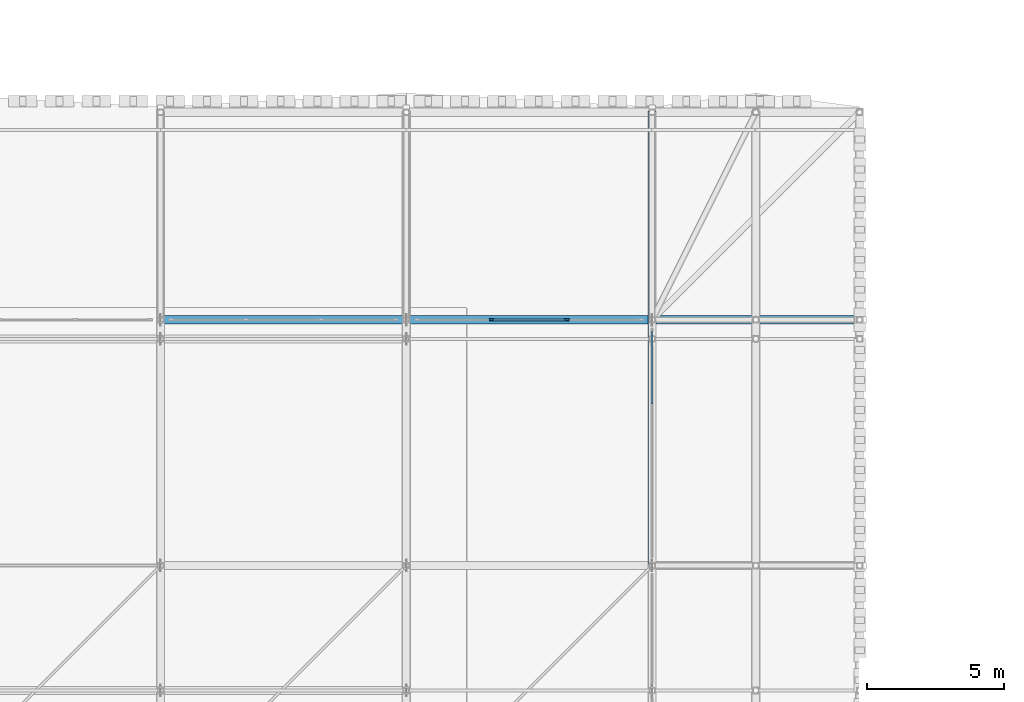
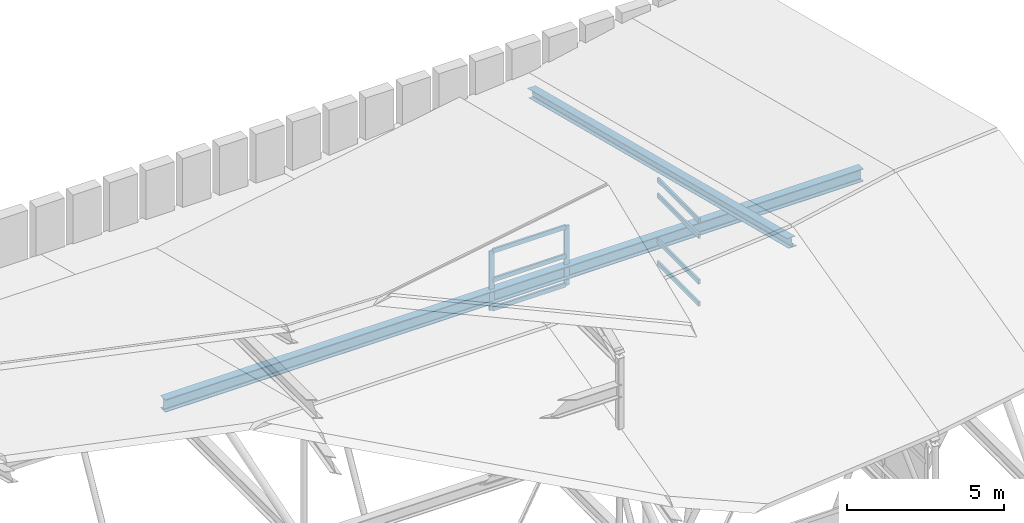
# One storey, part 20 of 42: 10 members, 1 beam, 2 elements without a shape of their own.
"""IFC4 building model written with IfcOpenShell, lengths in metres."""

from ifc_helpers import new_model, si_unit, direction, frame, origin, origin_2d, place, context, subcontext, project, spatial, rectangle, i_section, extrude, material, material_profile, profile_set, type_object, element, aggregate, save


model = new_model("IFC4")

# Units and contexts
model_context = context("Model", 3, precision=1e-05, world=origin(), true_north=direction((0.0, 1.0)))
body_context = subcontext(model_context, "Body", "Model", "MODEL_VIEW")
ifc_project = project(units=[si_unit("LENGTHUNIT", "METRE"), si_unit("AREAUNIT", "SQUARE_METRE"), si_unit("VOLUMEUNIT", "CUBIC_METRE"), si_unit("PLANEANGLEUNIT", "RADIAN"), si_unit("MASSUNIT", "GRAM", prefix="KILO")], contexts=[model_context])

# Site, building, storey
site_placement = place(None, origin())
site = spatial("IfcSite", under=ifc_project, at=site_placement, CompositionType="ELEMENT")
building_placement = place(site_placement, origin())
building = spatial("IfcBuilding", under=site, at=building_placement, Name="Bozkorgan Art Gallery", CompositionType="ELEMENT")
storey_placement = place(building_placement, frame((0.0, 0.0, 28.800048828125)))
storey = spatial("IfcBuildingStorey", under=building, at=storey_placement, Name="RF", CompositionType="ELEMENT", Elevation=28.800048828125)

# Beam
ifc_material_1 = material(Name="Steel S355J2", Category="steel")
ifc_material_profile_1 = material_profile(ifc_material_1, i_section(OverallWidth=0.300048828125, OverallDepth=0.5, WebThickness=0.014404296875, FlangeThickness=0.028076171875, FilletRadius=0.027099609375, at=origin_2d()), Name="HEB 500")
ifc_profile_set_1 = profile_set([ifc_material_profile_1], Name="Steel S355J2")
beam_type = type_object("IfcBeamType", Name="BEAM-TO-52", PredefinedType="BEAM", material=ifc_profile_set_1)
beam_placement = place(storey_placement, frame((47.0, 20.0, 0.25), z_axis=(1.0, 0.0, 0.0), x_axis=(0.0, 1.0, 0.0)))
element("IfcBeam", 1, at=beam_placement, inside=storey, type_object=beam_type, Name="ROOF-V1-MAIN east overhang continuous truss chord 3", PredefinedType="BEAM", context=body_context, shape_type="SweptSolid", body=[
    extrude(i_section(OverallWidth=0.300048828125, OverallDepth=0.5, WebThickness=0.014404296875, FlangeThickness=0.028076171875, FilletRadius=0.027099609375, at=origin_2d()), origin(), (0.0, 0.0, 1.0), 25.739990234375),
])

# Curtain wall, members
ifc_material_2 = material(Name="Anodised Bronze Aluminium", Category="aluminium")
curtain_wall_type_1 = type_object("IfcCurtainWallType", Name="CW-CW-28", PredefinedType="NOTDEFINED", material=ifc_material_2)
curtain_wall_1_placement = place(storey_placement, origin())
curtain_wall_1 = element("IfcCurtainWall", 2, at=curtain_wall_1_placement, inside=storey, type_object=curtain_wall_type_1, Name="RF unitised curtain wall CW-RF-V1-N-56", PredefinedType="NOTDEFINED")
ifc_material_profile_2 = material_profile(ifc_material_2, rectangle(XDim=0.06494140625, YDim=0.179931640625, at=origin_2d()), Name="ALU MULLION 65x180")
ifc_profile_set_2 = profile_set([ifc_material_profile_2], Name="Anodised Bronze Aluminium")
member_type_1 = type_object("IfcMemberType", Name="CWM-01", PredefinedType="MULLION", material=ifc_profile_set_2)
member_1_placement = place(storey_placement, frame((59.1201171875, 20.0, -0.324951171875), z_axis=(0.0, 0.0, 1.0), x_axis=(0.0, 1.0, 0.0)))
member_1 = element("IfcMember", 3, at=member_1_placement, type_object=member_type_1, Name="CW-28 mullion 2", PredefinedType="MULLION", context=body_context, shape_type="SweptSolid", body=[
    extrude(rectangle(XDim=0.06494140625, YDim=0.179931640625, at=origin_2d()), origin(), (0.0, 0.0, 1.0), 2.324951171875),
])
member_2_placement = place(storey_placement, frame((61.8798828125, 20.0, -0.324951171875), z_axis=(0.0, 0.0, 1.0), x_axis=(0.0, 1.0, 0.0)))
member_2 = element("IfcMember", 4, at=member_2_placement, type_object=member_type_1, Name="CW-28 mullion 3", PredefinedType="MULLION", context=body_context, shape_type="SweptSolid", body=[
    extrude(rectangle(XDim=0.06494140625, YDim=0.179931640625, at=origin_2d()), origin(), (0.0, 0.0, 1.0), 2.324951171875),
])
ifc_material_profile_3 = material_profile(ifc_material_2, rectangle(XDim=0.074951171875, YDim=0.169921875, at=origin_2d()), Name="ALU TRANSOM 75x170")
ifc_profile_set_3 = profile_set([ifc_material_profile_3], Name="Anodised Bronze Aluminium")
member_type_2 = type_object("IfcMemberType", Name="CWT-02", PredefinedType="USERDEFINED", material=ifc_profile_set_3)
member_3_placement = place(storey_placement, frame((59.152587890625, 20.0, -0.28759765625), z_axis=(1.0, 0.0, 0.0), x_axis=(0.0, 1.0, 0.0)))
member_3 = element("IfcMember", 5, at=member_3_placement, type_object=member_type_2, Name="CW-28 transom 2.1", ObjectType="TRANSOM", PredefinedType="USERDEFINED", context=body_context, shape_type="SweptSolid", body=[
    extrude(rectangle(XDim=0.074951171875, YDim=0.169921875, at=origin_2d()), origin(), (0.0, 0.0, 1.0), 2.69482421875),
])
member_4_placement = place(storey_placement, frame((59.152587890625, 20.0, 0.837890625), z_axis=(1.0, 0.0, 0.0), x_axis=(0.0, 1.0, 0.0)))
member_4 = element("IfcMember", 6, at=member_4_placement, type_object=member_type_2, Name="CW-28 transom 2.2", ObjectType="TRANSOM", PredefinedType="USERDEFINED", context=body_context, shape_type="SweptSolid", body=[
    extrude(rectangle(XDim=0.074951171875, YDim=0.169921875, at=origin_2d()), origin(), (0.0, 0.0, 1.0), 2.69482421875),
])
member_5_placement = place(storey_placement, frame((59.152587890625, 20.0, 1.96240234375), z_axis=(1.0, 0.0, 0.0), x_axis=(0.0, 1.0, 0.0)))
member_5 = element("IfcMember", 7, at=member_5_placement, type_object=member_type_2, Name="CW-28 transom 2.3", ObjectType="TRANSOM", PredefinedType="USERDEFINED", context=body_context, shape_type="SweptSolid", body=[
    extrude(rectangle(XDim=0.074951171875, YDim=0.169921875, at=origin_2d()), origin(), (0.0, 0.0, 1.0), 2.69482421875),
])
aggregate(curtain_wall_1, [member_1, member_2, member_3, member_4, member_5])

curtain_wall_type_2 = type_object("IfcCurtainWallType", Name="CW-CW-62", PredefinedType="NOTDEFINED", material=ifc_material_2)
curtain_wall_2_placement = place(storey_placement, origin())
curtain_wall_2 = element("IfcCurtainWall", 8, at=curtain_wall_2_placement, inside=storey, type_object=curtain_wall_type_2, Name="RF unitised curtain wall CW-RF-V1-E-11", PredefinedType="NOTDEFINED")
member_6_placement = place(storey_placement, frame((65.0, 16.91259765625, -0.28759765625), z_axis=(0.0, 1.0, 0.0), x_axis=(-1.0, 0.0, 0.0)))
member_6 = element("IfcMember", 9, at=member_6_placement, type_object=member_type_2, Name="CW-62 transom 3.1", ObjectType="TRANSOM", PredefinedType="USERDEFINED", context=body_context, shape_type="SweptSolid", body=[
    extrude(rectangle(XDim=0.074951171875, YDim=0.169921875, at=origin_2d()), origin(), (0.0, 0.0, 1.0), 2.662353515625),
])
member_7_placement = place(storey_placement, frame((65.0, 16.91259765625, 0.574951171875), z_axis=(0.0, 1.0, 0.0), x_axis=(-1.0, 0.0, 0.0)))
member_7 = element("IfcMember", 10, at=member_7_placement, type_object=member_type_2, Name="CW-62 transom 3.2", ObjectType="TRANSOM", PredefinedType="USERDEFINED", context=body_context, shape_type="SweptSolid", body=[
    extrude(rectangle(XDim=0.074951171875, YDim=0.169921875, at=origin_2d()), origin(), (0.0, 0.0, 1.0), 2.662353515625),
])
member_8_placement = place(storey_placement, frame((65.0, 16.91259765625, 2.349853515625), z_axis=(0.0, 1.0, 0.0), x_axis=(-1.0, 0.0, 0.0)))
member_8 = element("IfcMember", 11, at=member_8_placement, type_object=member_type_2, Name="CW-62 transom 3.3", ObjectType="TRANSOM", PredefinedType="USERDEFINED", context=body_context, shape_type="SweptSolid", body=[
    extrude(rectangle(XDim=0.074951171875, YDim=0.169921875, at=origin_2d()), origin(), (0.0, 0.0, 1.0), 2.662353515625),
])
member_9_placement = place(storey_placement, frame((65.0, 16.91259765625, 2.96240234375), z_axis=(0.0, 1.0, 0.0), x_axis=(-1.0, 0.0, 0.0)))
member_9 = element("IfcMember", 12, at=member_9_placement, type_object=member_type_2, Name="CW-62 transom 3.4", ObjectType="TRANSOM", PredefinedType="USERDEFINED", context=body_context, shape_type="SweptSolid", body=[
    extrude(rectangle(XDim=0.074951171875, YDim=0.169921875, at=origin_2d()), origin(), (0.0, 0.0, 1.0), 2.662353515625),
])
aggregate(curtain_wall_2, [member_6, member_7, member_8, member_9])

# Member
ifc_material_profile_4 = material_profile(ifc_material_1, i_section(OverallWidth=0.300048828125, OverallDepth=0.35009765625, WebThickness=0.010009765625, FlangeThickness=0.017578125, FilletRadius=0.027099609375, at=origin_2d()), Name="HEA 360")
ifc_profile_set_4 = profile_set([ifc_material_profile_4], Name="Steel S355J2")
member_type_3 = type_object("IfcMemberType", Name="MEMBER-TC-31", PredefinedType="CHORD", material=ifc_profile_set_4)
member_10_placement = place(storey_placement, frame((65.0, 11.0, 5.7060546875), z_axis=(0.0, 0.969445780618, -0.245305683671), x_axis=(-1.0, 0.0, 0.0)))
element("IfcMember", 13, at=member_10_placement, inside=storey, type_object=member_type_3, Name="ROOF-V1-MAIN roof truss 8 north top chord", PredefinedType="CHORD", context=body_context, shape_type="SweptSolid", body=[
    extrude(i_section(OverallWidth=0.300048828125, OverallDepth=0.35009765625, WebThickness=0.010009765625, FlangeThickness=0.017578125, FilletRadius=0.027099609375, at=origin_2d()), origin(), (0.0, 0.0, 1.0), 17.123291015625),
])

save(model, "model.ifc")
